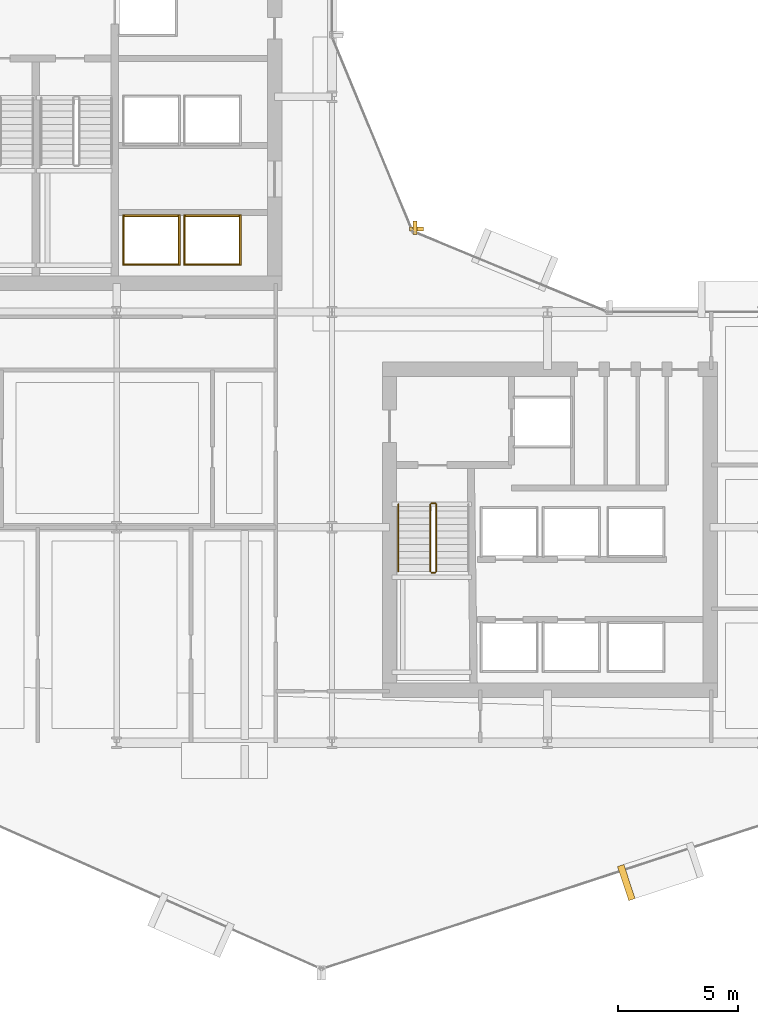
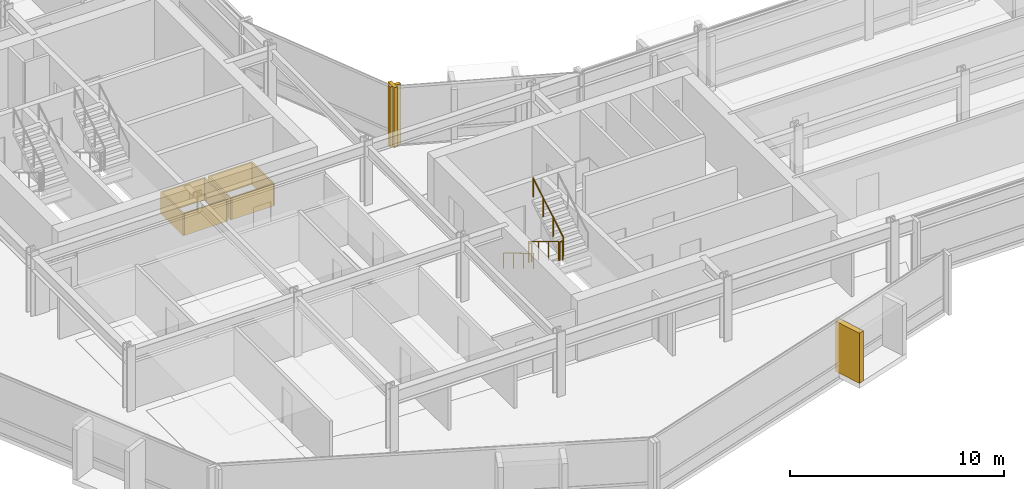
# One storey, part 31 of 34: 11 coverings, 5 railings.
"""IFC4 building model written with IfcOpenShell, lengths in metres."""

from ifc_helpers import new_model, si_unit, direction, frame, origin, origin_2d, place, context, subcontext, project, spatial, rectangle, circle, extrude, material, layer, layer_set, type_object, element, save


model = new_model("IFC4")

# Units and contexts
model_context = context("Model", 3, precision=1e-05, world=origin(), true_north=direction((0.0, 1.0)))
body_context = subcontext(model_context, "Body", "Model", "MODEL_VIEW")
ifc_project = project(units=[si_unit("LENGTHUNIT", "METRE"), si_unit("AREAUNIT", "SQUARE_METRE"), si_unit("VOLUMEUNIT", "CUBIC_METRE"), si_unit("PLANEANGLEUNIT", "RADIAN"), si_unit("MASSUNIT", "GRAM", prefix="KILO")], contexts=[model_context])

# Site, building, storey
site_placement = place(None, origin())
site = spatial("IfcSite", under=ifc_project, at=site_placement, CompositionType="ELEMENT")
building_placement = place(site_placement, origin())
building = spatial("IfcBuilding", under=site, at=building_placement, Name="Solvaryn Broadcast Tower", CompositionType="ELEMENT")
storey_placement = place(building_placement, frame((0.0, 0.0, 69.300048828125)))
storey = spatial("IfcBuildingStorey", under=building, at=storey_placement, Name="L16", CompositionType="ELEMENT", Elevation=69.300048828125)

# Coverings
ifc_material_1 = material(Name="Fire-Rated Gypsum Shaftwall Liner", Category="concrete")
ifc_layer_1 = layer(ifc_material_1, 0.080078125)
ifc_layer_set_1 = layer_set([ifc_layer_1], Name="CV-SHAFT-LINER")
covering_type_1 = type_object("IfcCoveringType", Name="CV-SHAFT-LINER", PredefinedType="CLADDING", material=ifc_layer_set_1)
for number, where, z_axis, x_axis, name in (
    (1, (19.449951171875, 31.014892578125, 0.0), (0.0, 0.0, 1.0), (1.0, 0.0, 0.0), "L16 PH1 Hoistway Shaft Liner North"),
    (2, (19.449951171875, 28.985107421875, 0.0), (0.0, 0.0, 1.0), (1.0, 0.0, 0.0), "L16 PH1 Hoistway Shaft Liner South"),
):
    element("IfcCovering", number, at=place(storey_placement, frame(where, z_axis=z_axis, x_axis=x_axis)), inside=storey, type_object=covering_type_1, Name=name, PredefinedType="CLADDING", context=body_context, shape_type="SweptSolid", body=[
        extrude(rectangle(XDim=2.409912109375, YDim=0.080078125, at=origin_2d()), origin(), (0.0, 0.0, 1.0), 1.25),
    ])
for number, where, z_axis, x_axis, name in (
    (3, (20.614990234375, 30.0, 0.0), (0.0, 0.0, 1.0), (1.0, 0.0, 0.0), "L16 PH1 Hoistway Shaft Liner East"),
    (4, (18.284912109375, 30.0, 0.0), (0.0, 0.0, 1.0), (1.0, 0.0, 0.0), "L16 PH1 Hoistway Shaft Liner West"),
):
    element("IfcCovering", number, at=place(storey_placement, frame(where, z_axis=z_axis, x_axis=x_axis)), inside=storey, type_object=covering_type_1, Name=name, PredefinedType="CLADDING", context=body_context, shape_type="SweptSolid", body=[
        extrude(rectangle(XDim=0.080078125, YDim=2.110107421875, at=origin_2d()), origin(), (0.0, 0.0, 1.0), 1.25),
    ])
for number, where, z_axis, x_axis, name in (
    (5, (22.0, 31.014892578125, 0.0), (0.0, 0.0, 1.0), (1.0, 0.0, 0.0), "L16 PH2 Hoistway Shaft Liner North"),
    (6, (22.0, 28.985107421875, 0.0), (0.0, 0.0, 1.0), (1.0, 0.0, 0.0), "L16 PH2 Hoistway Shaft Liner South"),
):
    element("IfcCovering", number, at=place(storey_placement, frame(where, z_axis=z_axis, x_axis=x_axis)), inside=storey, type_object=covering_type_1, Name=name, PredefinedType="CLADDING", context=body_context, shape_type="SweptSolid", body=[
        extrude(rectangle(XDim=2.409912109375, YDim=0.080078125, at=origin_2d()), origin(), (0.0, 0.0, 1.0), 1.25),
    ])
for number, where, z_axis, x_axis, name in (
    (7, (23.1650390625, 30.0, 0.0), (0.0, 0.0, 1.0), (1.0, 0.0, 0.0), "L16 PH2 Hoistway Shaft Liner East"),
    (8, (20.8349609375, 30.0, 0.0), (0.0, 0.0, 1.0), (1.0, 0.0, 0.0), "L16 PH2 Hoistway Shaft Liner West"),
):
    element("IfcCovering", number, at=place(storey_placement, frame(where, z_axis=z_axis, x_axis=x_axis)), inside=storey, type_object=covering_type_1, Name=name, PredefinedType="CLADDING", context=body_context, shape_type="SweptSolid", body=[
        extrude(rectangle(XDim=0.080078125, YDim=2.110107421875, at=origin_2d()), origin(), (0.0, 0.0, 1.0), 1.25),
    ])
ifc_material_2 = material(Name="Glazed Architectural Terracotta Rainscreen Cladding", Category="masonry")
ifc_layer_2 = layer(ifc_material_2, 0.280029296875)
ifc_layer_set_2 = layer_set([ifc_layer_2], Name="CV-TC-CLAD")
covering_type_2 = type_object("IfcCoveringType", Name="CV-TC-CLAD", PredefinedType="CLADDING", material=ifc_layer_set_2)
covering_1_placement = place(storey_placement, frame((39.298095703125, 3.155517578125, 0.27978515625), z_axis=(0.0, 0.0, 1.0), x_axis=(0.950189870912, 0.311671636848, 0.0)))
element("IfcCovering", 9, at=covering_1_placement, inside=storey, type_object=covering_type_2, Name="L16 Projecting Stone Window Box Cheek 4-1", PredefinedType="CLADDING", context=body_context, shape_type="SweptSolid", body=[
    extrude(rectangle(XDim=0.280029296875, YDim=1.5, at=origin_2d()), origin(), (0.0, 0.0, 1.0), 2.860107421875),
])
ifc_material_3 = material(Name="Extruded Architectural Terracotta Fin", Category="masonry")
ifc_layer_3 = layer(ifc_material_3, 0.179931640625)
ifc_layer_set_3 = layer_set([ifc_layer_3], Name="CV-TC-FIN")
covering_type_3 = type_object("IfcCoveringType", Name="CV-TC-FIN", PredefinedType="USERDEFINED", material=ifc_layer_set_3)
covering_2_placement = place(storey_placement, frame((30.464599609375, 30.52294921875, 0.0), z_axis=(0.0, 0.0, 1.0), x_axis=(1.0, 0.0, 0.0)))
element("IfcCovering", 10, at=covering_2_placement, inside=storey, type_object=covering_type_3, Name="L16 Terracotta Vertical Fin FIN-L16-CN1-M01", ObjectType="FIN", PredefinedType="USERDEFINED", context=body_context, shape_type="SweptSolid", body=[
    extrude(rectangle(XDim=0.179931640625, YDim=0.580078125, at=origin_2d()), origin(), (0.0, 0.0, 1.0), 3.419921875),
])
covering_3_placement = place(storey_placement, frame((30.52294921875, 30.464599609375, 0.0), z_axis=(0.0, 0.0, 1.0), x_axis=(1.0, 0.0, 0.0)))
element("IfcCovering", 11, at=covering_3_placement, inside=storey, type_object=covering_type_3, Name="L16 Terracotta Vertical Fin FIN-L16-CN2-M00", ObjectType="FIN", PredefinedType="USERDEFINED", context=body_context, shape_type="SweptSolid", body=[
    extrude(rectangle(XDim=0.580078125, YDim=0.179931640625, at=origin_2d()), origin(), (0.0, 0.0, 1.0), 3.419921875),
])

# Railings
ifc_material_4 = material(Name="Painted Steel Stair Well Guard", Category="steel")
railing_type_1 = type_object("IfcRailingType", Name="RL-STAIR-GUARD", PredefinedType="BALUSTRADE", material=ifc_material_4)
railing_1_placement = place(storey_placement, frame((31.110107421875, 18.9599609375, 0.168212890625)))
element("IfcRailing", 12, at=railing_1_placement, inside=storey, type_object=railing_type_1, Name="L16 ST3 stair guard 1", PredefinedType="BALUSTRADE", context=body_context, shape_type="SweptSolid", body=[
    extrude(circle(Radius=0.02392578125, at=origin_2d()), frame((0.0, 0.0, 1.076171875), z_axis=(0.0, -0.857275202839, 0.514858452973), x_axis=(1.0, 0.0, 0.0)), (0.0, 0.0, 1.0), 3.26611328125),
    extrude(circle(Radius=0.02099609375, at=origin_2d()), origin(), (0.0, 0.0, 1.0), 1.052001953125),
    extrude(circle(Radius=0.02099609375, at=origin_2d()), frame((0.0, -0.933349609375, 0.560546875)), (0.0, 0.0, 1.0), 1.052001953125),
    extrude(circle(Radius=0.02099609375, at=origin_2d()), frame((0.0, -1.86669921875, 1.12109375)), (0.0, 0.0, 1.0), 1.052001953125),
    extrude(circle(Radius=0.02099609375, at=origin_2d()), frame((0.0, -2.800048828125, 1.681640625)), (0.0, 0.0, 1.0), 1.052001953125),
])
railing_2_placement = place(storey_placement, frame((31.159912109375, 16.110107421875, 1.849853515625)))
element("IfcRailing", 13, at=railing_2_placement, inside=storey, type_object=railing_type_1, Name="L16 ST3 stair guard 2", PredefinedType="BALUSTRADE", context=body_context, shape_type="SweptSolid", body=[
    extrude(circle(Radius=0.02392578125, at=origin_2d()), frame((0.0, 0.0, 1.076171875), z_axis=(1.0, 0.0, 0.0), x_axis=(0.0, 1.0, 0.0)), (0.0, 0.0, 1.0), 0.150146484375),
    extrude(circle(Radius=0.02099609375, at=origin_2d()), origin(), (0.0, 0.0, 1.0), 1.052001953125),
    extrude(circle(Radius=0.02099609375, at=origin_2d()), frame((0.150146484375, 0.0, 0.0)), (0.0, 0.0, 1.0), 1.052001953125),
])
railing_3_placement = place(storey_placement, frame((31.360107421875, 16.159912109375, 2.01806640625)))
element("IfcRailing", 14, at=railing_3_placement, inside=storey, type_object=railing_type_1, Name="L16 ST3 stair guard 3", PredefinedType="BALUSTRADE", context=body_context, shape_type="SweptSolid", body=[
    extrude(circle(Radius=0.02392578125, at=origin_2d()), frame((0.0, 0.0, 1.076171875), z_axis=(0.0, 0.857242210791, 0.514913383045), x_axis=(-1.0, 0.0, 0.0)), (0.0, 0.0, 1.0), 3.266357421875),
    extrude(circle(Radius=0.02099609375, at=origin_2d()), origin(), (0.0, 0.0, 1.0), 1.052001953125),
    extrude(circle(Radius=0.02099609375, at=origin_2d()), frame((0.0, 0.933349609375, 0.560546875)), (0.0, 0.0, 1.0), 1.052001953125),
    extrude(circle(Radius=0.02099609375, at=origin_2d()), frame((0.0, 1.86669921875, 1.121337890625)), (0.0, 0.0, 1.0), 1.052001953125),
    extrude(circle(Radius=0.02099609375, at=origin_2d()), frame((0.0, 2.800048828125, 1.681884765625)), (0.0, 0.0, 1.0), 1.052001953125),
])
railing_4_placement = place(storey_placement, frame((31.159912109375, 19.010009765625, 0.0)))
element("IfcRailing", 15, at=railing_4_placement, inside=storey, type_object=railing_type_1, Name="L16 ST3 stair guard 4", PredefinedType="BALUSTRADE", context=body_context, shape_type="SweptSolid", body=[
    extrude(circle(Radius=0.02392578125, at=origin_2d()), frame((0.0, 0.0, 1.076171875), z_axis=(1.0, 0.0, 0.0), x_axis=(0.0, 1.0, 0.0)), (0.0, 0.0, 1.0), 0.150146484375),
    extrude(circle(Radius=0.02099609375, at=origin_2d()), origin(), (0.0, 0.0, 1.0), 1.052001953125),
    extrude(circle(Radius=0.02099609375, at=origin_2d()), frame((0.150146484375, 0.0, 0.0)), (0.0, 0.0, 1.0), 1.052001953125),
])
ifc_material_5 = material(Name="Brushed Stainless Steel Tubular Handrail", Category="steel")
railing_type_2 = type_object("IfcRailingType", Name="RL-STAIR-HANDRAIL", PredefinedType="HANDRAIL", material=ifc_material_5)
railing_5_placement = place(storey_placement, frame((29.77001953125, 18.9599609375, 0.168212890625)))
element("IfcRailing", 16, at=railing_5_placement, inside=storey, type_object=railing_type_2, Name="L16 ST3 stair handrail 1", PredefinedType="HANDRAIL", context=body_context, shape_type="SweptSolid", body=[
    extrude(circle(Radius=0.02392578125, at=origin_2d()), frame((0.0, 0.0, 0.8759765625), z_axis=(0.0, -0.857275202839, 0.514858452973), x_axis=(1.0, 0.0, 0.0)), (0.0, 0.0, 1.0), 3.26611328125),
    extrude(circle(Radius=0.02099609375, at=origin_2d()), origin(), (0.0, 0.0, 1.0), 0.851806640625),
    extrude(circle(Radius=0.02099609375, at=origin_2d()), frame((0.0, -0.933349609375, 0.560546875)), (0.0, 0.0, 1.0), 0.851806640625),
    extrude(circle(Radius=0.02099609375, at=origin_2d()), frame((0.0, -1.86669921875, 1.12109375)), (0.0, 0.0, 1.0), 0.851806640625),
    extrude(circle(Radius=0.02099609375, at=origin_2d()), frame((0.0, -2.800048828125, 1.681640625)), (0.0, 0.0, 1.0), 0.851806640625),
])

save(model, "model.ifc")
